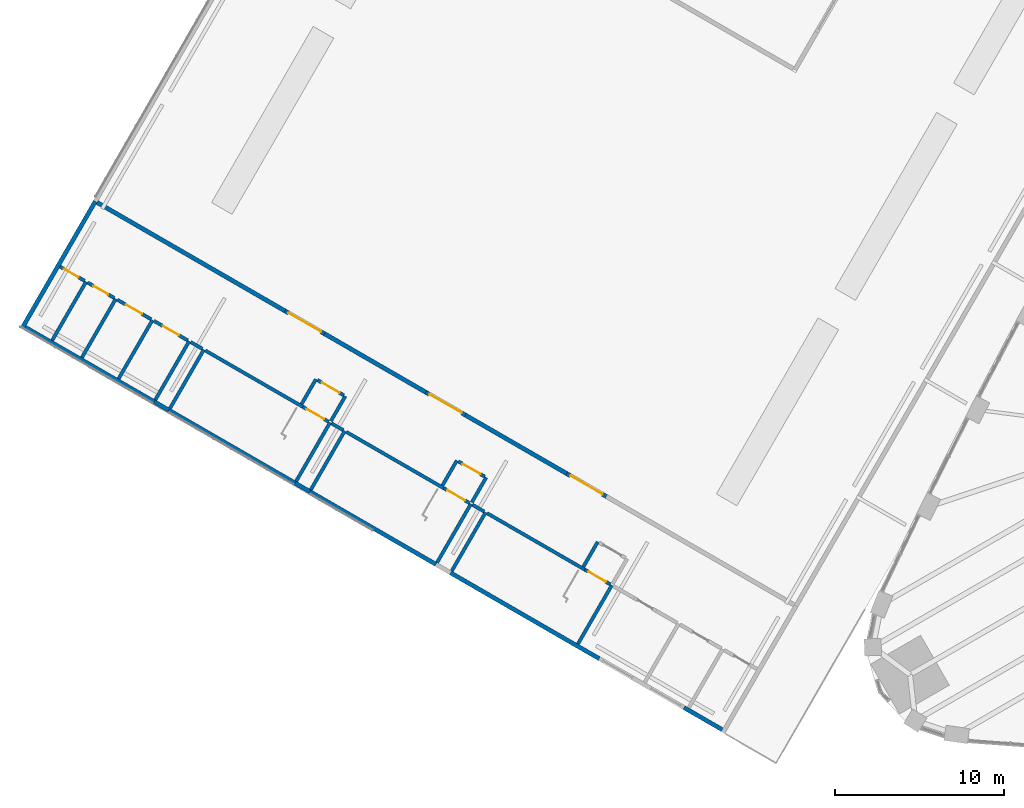
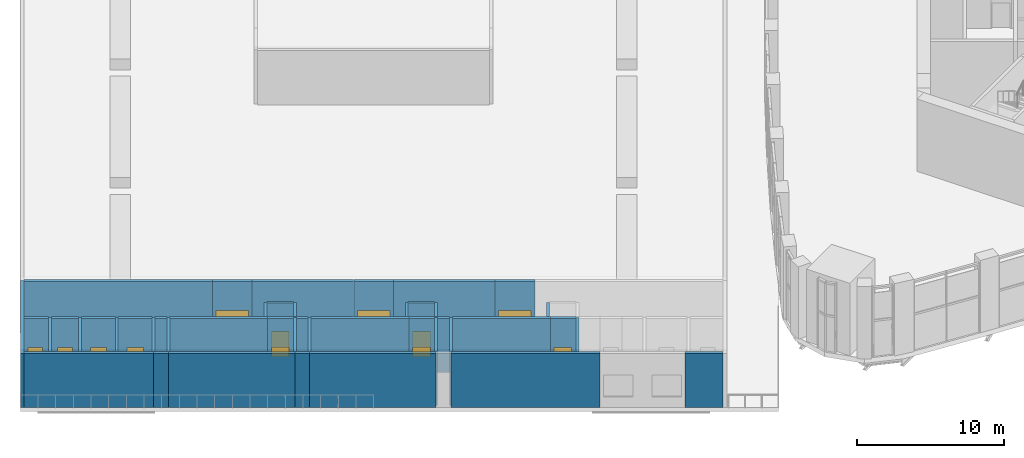
# One storey, part 22 of 41: 44 walls, 12 doors, 12 openings.
"""IFC4 building model written with IfcOpenShell, lengths in metres."""

import ifcopenshell
import ifcopenshell.guid

model = None  # the IFC model being written
_history = None  # IfcOwnerHistory: only IFC2X3 demands one
_inside = {}  # id of a spatial element -> (the spatial element, [elements in it])
_under = {}  # id of a project, library or spatial element -> (it, [spatial elements below it])
_declared = {}  # id of a project -> (the project, [libraries it declares])
_typed = {}  # id of a type object -> (the type object, [elements of that type])
_made_of = {}  # id of a material, layer set ... -> (it, [elements and type objects made of it])


def new_model(schema):
    """Start an empty IFC model of exactly this schema.

    Asked for "IFC4X3", IfcOpenShell would pick the latest addendum, in which some entities
    have other attributes; the version numbers below select the first issue.
    IFC2X3 requires an IfcOwnerHistory on every rooted entity: one is made here for all.
    """
    global model, _history
    if schema == "IFC4X3":
        model = ifcopenshell.file(schema_version=(4, 3, 0, 0))
    else:
        model = ifcopenshell.file(schema=schema)
    _inside.clear()
    _under.clear()
    _declared.clear()
    _typed.clear()
    _made_of.clear()
    _history = None
    if model.schema == "IFC2X3":
        org = make("IfcOrganization", Name="unknown")
        user = make(
            "IfcPersonAndOrganization",
            ThePerson=make("IfcPerson", FamilyName="unknown"),
            TheOrganization=org,
        )
        app = make(
            "IfcApplication",
            ApplicationDeveloper=org,
            Version="unknown",
            ApplicationFullName="unknown",
            ApplicationIdentifier="unknown",
        )
        _history = make(
            "IfcOwnerHistory",
            OwningUser=user,
            OwningApplication=app,
            ChangeAction="ADDED",
            CreationDate=0,
        )
    return model


def make(cls, **values):
    """One entity of the class cls with the attributes given. An attribute that is None is left unset."""
    return model.create_entity(
        cls, **{name: value for name, value in values.items() if value is not None}
    )


def rooted(cls, **values):
    """An entity with a GlobalId (a new one), such as an element, a storey or a relation."""
    return make(cls, GlobalId=ifcopenshell.guid.new(), OwnerHistory=_history, **values)


def si_unit(unit_type, name, prefix=None):
    """IfcSIUnit, for example si_unit("LENGTHUNIT", "METRE", prefix="MILLI")."""
    return make("IfcSIUnit", UnitType=unit_type, Prefix=prefix, Name=name)


def assignment(units):
    """IfcUnitAssignment: the units of a project."""
    return None if units is None else make("IfcUnitAssignment", Units=units)


def point(xyz):
    """IfcCartesianPoint."""
    return None if xyz is None else make("IfcCartesianPoint", Coordinates=xyz)


def direction(xyz):
    """IfcDirection."""
    return None if xyz is None else make("IfcDirection", DirectionRatios=xyz)


def frame(location, z_axis=None, x_axis=None):
    """IfcAxis2Placement3D, a coordinate frame: its origin and axes. An axis left out is left unset."""
    return make(
        "IfcAxis2Placement3D",
        Location=point(location),
        Axis=direction(z_axis),
        RefDirection=direction(x_axis),
    )


def frame_2d(location, x_axis=None):
    """IfcAxis2Placement2D, a coordinate frame in the plane: its origin and x axis."""
    return make(
        "IfcAxis2Placement2D", Location=point(location), RefDirection=direction(x_axis)
    )


def origin():
    """The frame at (0, 0, 0) with its axes left unset."""
    return frame((0.0, 0.0, 0.0))


def place(relative_to, where):
    """IfcLocalPlacement: puts the frame where relative to a parent placement (None: the world)."""
    return make(
        "IfcLocalPlacement", PlacementRelTo=relative_to, RelativePlacement=where
    )


def context(
    kind, dimensions, precision=None, world=None, true_north=None, identifier=None
):
    """IfcGeometricRepresentationContext, for example the 3D "Model" context."""
    return make(
        "IfcGeometricRepresentationContext",
        ContextIdentifier=identifier,
        ContextType=kind,
        CoordinateSpaceDimension=dimensions,
        Precision=precision,
        WorldCoordinateSystem=world,
        TrueNorth=true_north,
    )


def subcontext(parent, identifier, kind, view, scale=None):
    """IfcGeometricRepresentationSubContext, for example "Body" below "Model"."""
    return make(
        "IfcGeometricRepresentationSubContext",
        ContextIdentifier=identifier,
        ContextType=kind,
        ParentContext=parent,
        TargetScale=scale,
        TargetView=view,
    )


def project(units=None, contexts=None):
    """IfcProject with its units and contexts."""
    return rooted(
        "IfcProject",
        Name="project",
        RepresentationContexts=contexts,
        UnitsInContext=assignment(units),
    )


def spatial(cls, under=None, at=None, **own):
    """A site, building, storey or space (cls), placed at a placement, below another one or the project."""
    s = rooted(cls, ObjectPlacement=at, **own)
    if under is not None:
        _under.setdefault(under.id(), (under, []))[1].append(s)
    return s


def profile(cls, at=None, kind="AREA", **sizes):
    """A parametric profile (cls). Its sizes go by their IFC names, for example OverallWidth=200.0."""
    return make(cls, ProfileType=kind, Position=at, **sizes)


def rectangle(**sizes):
    """IfcRectangleProfileDef."""
    return profile("IfcRectangleProfileDef", **sizes)


def extrude(swept, where, along, depth):
    """IfcExtrudedAreaSolid: the profile swept, set in the frame where, extruded along a direction by depth."""
    return make(
        "IfcExtrudedAreaSolid",
        SweptArea=swept,
        Position=where,
        ExtrudedDirection=direction(along),
        Depth=depth,
    )


def shape(context_of_items, identifier, shape_type, items):
    """IfcShapeRepresentation: the items that make up one representation, for example the "Body"."""
    return make(
        "IfcShapeRepresentation",
        ContextOfItems=context_of_items,
        RepresentationIdentifier=identifier,
        RepresentationType=shape_type,
        Items=items,
    )


def material(Name=None, Category=None):
    """IfcMaterial."""
    return make("IfcMaterial", Name=Name, Category=Category)


def layer(
    of_material, thickness, ventilated=None, Name=None, Category=None, Priority=None
):
    """IfcMaterialLayer: one layer of a wall or slab, of a material (None: an air gap)."""
    return make(
        "IfcMaterialLayer",
        Material=of_material,
        LayerThickness=thickness,
        IsVentilated=ventilated,
        Name=Name,
        Category=Category,
        Priority=Priority,
    )


def layer_set(layers, Name=None):
    """IfcMaterialLayerSet."""
    return make("IfcMaterialLayerSet", MaterialLayers=layers, LayerSetName=Name)


def made_of(thing, what):
    """Note that an element or type object is made of a material, layer set ...; save() writes the relation."""
    if what is not None:
        _made_of.setdefault(what.id(), (what, []))[1].append(thing)
    return thing


def type_object(cls, material=None, **own):
    """A type object (cls), such as IfcWallType, which elements share."""
    return made_of(rooted(cls, **own), material)


def element(
    cls,
    number,
    at=None,
    inside=None,
    cuts=None,
    type_object=None,
    material=None,
    context=None,
    identifier="Body",
    shape_type=None,
    held_by="IfcProductDefinitionShape",
    body=None,
    shapes=None,
    **own,
):
    """One element of the class cls, such as IfcWall. Its Tag is "e" and its number.

    at: its placement. inside: the storey or other place that contains it. cuts: it is an
    opening in that element (IfcRelVoidsElement). A single representation is given by context,
    identifier, shape_type and body (its items); several are given by shapes. held_by: the class
    of the entity that holds the representations. save() writes the other relations.
    """
    e = rooted(cls, Tag="e%d" % number, ObjectPlacement=at, **own)
    if body is not None:
        shapes = [shape(context, identifier, shape_type, body)]
    if shapes is not None:
        e.Representation = make(held_by, Representations=shapes)
    if inside is not None:
        _inside.setdefault(inside.id(), (inside, []))[1].append(e)
    if cuts is not None:
        rooted(
            "IfcRelVoidsElement", RelatingBuildingElement=cuts, RelatedOpeningElement=e
        )
    if type_object is not None:
        _typed.setdefault(type_object.id(), (type_object, []))[1].append(e)
    return made_of(e, material)


def fill(opening, filler):
    """IfcRelFillsElement: the door or window that sits in an opening."""
    return rooted(
        "IfcRelFillsElement",
        RelatingOpeningElement=opening,
        RelatedBuildingElement=filler,
    )


def aggregate(whole, parts):
    """IfcRelAggregates: a whole, such as a stair, and the parts it consists of."""
    return rooted("IfcRelAggregates", RelatingObject=whole, RelatedObjects=parts)


def save(model, path):
    """Write the relations noted so far, then the file.

    IfcRelAggregates (storeys below a building ...), IfcRelContainedInSpatialStructure (elements
    in a storey), IfcRelDefinesByType, IfcRelAssociatesMaterial and IfcRelDeclares: one each for
    every whole, place, type object, material and project.
    """
    for whole, parts in _under.values():
        aggregate(whole, parts)
    for where, things in _inside.values():
        rooted(
            "IfcRelContainedInSpatialStructure",
            RelatedElements=things,
            RelatingStructure=where,
        )
    for kind, things in _typed.values():
        rooted("IfcRelDefinesByType", RelatedObjects=things, RelatingType=kind)
    for what, things in _made_of.values():
        rooted("IfcRelAssociatesMaterial", RelatedObjects=things, RelatingMaterial=what)
    for by, libraries in _declared.values():
        rooted("IfcRelDeclares", RelatingContext=by, RelatedDefinitions=libraries)
    model.write(path)


model = new_model("IFC4")

# Units and contexts
model_context = context("Model", 3, precision=1e-05, world=origin(), true_north=direction((0.0, 1.0)))
body_context = subcontext(model_context, "Body", "Model", "MODEL_VIEW")
ifc_project = project(units=[si_unit("LENGTHUNIT", "METRE"), si_unit("AREAUNIT", "SQUARE_METRE"), si_unit("VOLUMEUNIT", "CUBIC_METRE"), si_unit("PLANEANGLEUNIT", "RADIAN"), si_unit("MASSUNIT", "GRAM", prefix="KILO")], contexts=[model_context])

# Site, building, storey
site_placement = place(None, origin())
site = spatial("IfcSite", under=ifc_project, at=site_placement, CompositionType="ELEMENT")
building_placement = place(site_placement, origin())
building = spatial("IfcBuilding", under=site, at=building_placement, Name="Mestral Congress Tower", CompositionType="ELEMENT")
storey_placement = place(building_placement, frame((0.0, 0.0, 21.60009765625)))
storey = spatial("IfcBuildingStorey", under=building, at=storey_placement, Name="L04", CompositionType="ELEMENT", Elevation=21.60009765625)

# Wall
ifc_material_1 = material(Name="Precast concrete C40/50 with limestone facing", Category="masonry")
ifc_layer_1 = layer(ifc_material_1, 0.25)
ifc_layer_set_1 = layer_set([ifc_layer_1], Name="Precast concrete C40/50 with limestone facing")
wall_type_1 = type_object("IfcWallType", Name="Podium external wall 250 R 180 load-bearing to roof", PredefinedType="SOLIDWALL", material=ifc_layer_set_1)
wall_1_placement = place(storey_placement, frame((-83.915283203125, 2.260498046875, 0.0), z_axis=(0.0, 0.0, 1.0), x_axis=(0.499999331568, 0.866025789703, 0.0)))
element("IfcWall", 1, at=wall_1_placement, inside=storey, type_object=wall_type_1, Name="L04 external wall", PredefinedType="SOLIDWALL", context=body_context, shape_type="SweptSolid", body=[
    extrude(rectangle(XDim=8.625, YDim=0.25, at=frame_2d((4.3125, 0.0))), origin(), (0.0, 0.0, 1.0), 4.5),
])

# Wall, opening, door
wall_2_placement = place(storey_placement, frame((-51.78173828125, -6.33251953125, 0.0), z_axis=(0.0, 0.0, 1.0), x_axis=(0.866019956843, -0.50000943426, 0.0)))
wall_2 = element("IfcWall", 2, at=wall_2_placement, inside=storey, type_object=wall_type_1, Name="L04 external wall", PredefinedType="SOLIDWALL", context=body_context, shape_type="SweptSolid", body=[
    extrude(rectangle(XDim=2.7001953125, YDim=0.25, at=frame_2d((1.35009765625, 0.0))), origin(), (0.0, 0.0, 1.0), 4.5),
])
opening_1_placement = place(wall_2_placement, frame((0.25, 0.0, 0.0)))
opening_1 = element("IfcOpeningElement", 3, at=opening_1_placement, cuts=wall_2, Name="Opening P04-305", PredefinedType="OPENING", context=body_context, shape_type="SweptSolid", body=[
    extrude(rectangle(XDim=2.199951171875, YDim=2.10009765625, at=frame_2d((1.10009765625, 1.050048828125))), frame((0.0, 0.135009765625, 0.0), z_axis=(0.0, -1.0, 0.0), x_axis=(1.0, 0.0, 0.0)), (0.0, 0.0, 1.0), 0.27001953125),
])
ifc_material_2 = material(Name="Steel and glass door set", Category="steel")
door_type_1 = type_object("IfcDoorType", Name="Podium entrance door 2200x2100", OperationType="DOUBLE_DOOR_SINGLE_SWING", PredefinedType="DOOR", material=ifc_material_2)
door_1_placement = place(opening_1_placement, origin())
door_1 = element("IfcDoor", 4, at=door_1_placement, inside=storey, type_object=door_type_1, Name="Door P04-305", OperationType="DOUBLE_DOOR_SINGLE_SWING", OverallHeight=2.10009765625, OverallWidth=2.199951171875, PredefinedType="DOOR", context=body_context, shape_type="SweptSolid", body=[
    extrude(rectangle(XDim=2.199951171875, YDim=2.10009765625, at=frame_2d((1.10009765625, 1.050048828125))), frame((0.0, 0.02490234375, 0.0), z_axis=(0.0, -1.0, 0.0), x_axis=(1.0, 0.0, 0.0)), (0.0, 0.0, 1.0), 0.050048828125),
])
fill(opening_1, door_1)

# Wall
wall_3_placement = place(storey_placement, frame((-51.78173828125, -6.33251953125, 0.0), z_axis=(0.0, 0.0, 1.0), x_axis=(-0.866028853923, 0.499994024137, 0.0)))
element("IfcWall", 5, at=wall_3_placement, inside=storey, type_object=wall_type_1, Name="L04 external wall", PredefinedType="SOLIDWALL", context=body_context, shape_type="SweptSolid", body=[
    extrude(rectangle(XDim=6.89990234375, YDim=0.25, at=frame_2d((3.449951171875, 0.0))), origin(), (0.0, 0.0, 1.0), 4.5),
])

# Wall, opening, door
wall_4_placement = place(storey_placement, frame((-60.095458984375, -1.53271484375, 0.0), z_axis=(0.0, 0.0, 1.0), x_axis=(0.866036505625, -0.499980770555, 0.0)))
wall_4 = element("IfcWall", 6, at=wall_4_placement, inside=storey, type_object=wall_type_1, Name="L04 external wall", PredefinedType="SOLIDWALL", context=body_context, shape_type="SweptSolid", body=[
    extrude(rectangle(XDim=2.69970703125, YDim=0.25, at=frame_2d((1.349853515625, 0.0))), origin(), (0.0, 0.0, 1.0), 4.5),
])
opening_2_placement = place(wall_4_placement, frame((0.25, 0.0, 0.0)))
opening_2 = element("IfcOpeningElement", 7, at=opening_2_placement, cuts=wall_4, Name="Opening P04-306", PredefinedType="OPENING", context=body_context, shape_type="SweptSolid", body=[
    extrude(rectangle(XDim=2.199951171875, YDim=2.10009765625, at=frame_2d((1.10009765625, 1.050048828125))), frame((0.0, 0.135009765625, 0.0), z_axis=(0.0, -1.0, 0.0), x_axis=(1.0, 0.0, 0.0)), (0.0, 0.0, 1.0), 0.27001953125),
])
door_2_placement = place(opening_2_placement, origin())
door_2 = element("IfcDoor", 8, at=door_2_placement, inside=storey, type_object=door_type_1, Name="Door P04-306", OperationType="DOUBLE_DOOR_SINGLE_SWING", OverallHeight=2.10009765625, OverallWidth=2.199951171875, PredefinedType="DOOR", context=body_context, shape_type="SweptSolid", body=[
    extrude(rectangle(XDim=2.199951171875, YDim=2.10009765625, at=frame_2d((1.10009765625, 1.050048828125))), frame((0.0, 0.02490234375, 0.0), z_axis=(0.0, -1.0, 0.0), x_axis=(1.0, 0.0, 0.0)), (0.0, 0.0, 1.0), 0.050048828125),
])
fill(opening_2, door_2)

# Wall
wall_5_placement = place(storey_placement, frame((-60.095458984375, -1.53271484375, 0.0), z_axis=(0.0, 0.0, 1.0), x_axis=(-0.866013532718, 0.500020560727, 0.0)))
element("IfcWall", 9, at=wall_5_placement, inside=storey, type_object=wall_type_1, Name="L04 external wall", PredefinedType="SOLIDWALL", context=body_context, shape_type="SweptSolid", body=[
    extrude(rectangle(XDim=6.900146484375, YDim=0.25, at=frame_2d((3.4501953125, 0.0))), origin(), (0.0, 0.0, 1.0), 4.5),
])

# Wall, opening, door
wall_6_placement = place(storey_placement, frame((-68.409423828125, 3.267333984375, 0.0), z_axis=(0.0, 0.0, 1.0), x_axis=(0.866059108428, -0.4999416173, 0.0)))
wall_6 = element("IfcWall", 10, at=wall_6_placement, inside=storey, type_object=wall_type_1, Name="L04 external wall", PredefinedType="SOLIDWALL", context=body_context, shape_type="SweptSolid", body=[
    extrude(rectangle(XDim=2.699951171875, YDim=0.25, at=frame_2d((1.35009765625, 0.0))), origin(), (0.0, 0.0, 1.0), 4.5),
])
opening_3_placement = place(wall_6_placement, frame((0.25, 0.0, 0.0)))
opening_3 = element("IfcOpeningElement", 11, at=opening_3_placement, cuts=wall_6, Name="Opening P04-307", PredefinedType="OPENING", context=body_context, shape_type="SweptSolid", body=[
    extrude(rectangle(XDim=2.199951171875, YDim=2.10009765625, at=frame_2d((1.10009765625, 1.050048828125))), frame((0.0, 0.135009765625, 0.0), z_axis=(0.0, -1.0, 0.0), x_axis=(1.0, 0.0, 0.0)), (0.0, 0.0, 1.0), 0.27001953125),
])
door_3_placement = place(opening_3_placement, origin())
door_3 = element("IfcDoor", 12, at=door_3_placement, inside=storey, type_object=door_type_1, Name="Door P04-307", OperationType="DOUBLE_DOOR_SINGLE_SWING", OverallHeight=2.10009765625, OverallWidth=2.199951171875, PredefinedType="DOOR", context=body_context, shape_type="SweptSolid", body=[
    extrude(rectangle(XDim=2.199951171875, YDim=2.10009765625, at=frame_2d((1.10009765625, 1.050048828125))), frame((0.0, 0.02490234375, 0.0), z_axis=(0.0, -1.0, 0.0), x_axis=(1.0, 0.0, 0.0)), (0.0, 0.0, 1.0), 0.050048828125),
])
fill(opening_3, door_3)

# Walls
wall_7_placement = place(storey_placement, frame((-68.409423828125, 3.267333984375, 0.0), z_axis=(0.0, 0.0, 1.0), x_axis=(-0.866017240552, 0.500014138866, 0.0)))
element("IfcWall", 13, at=wall_7_placement, inside=storey, type_object=wall_type_1, Name="L04 external wall", PredefinedType="SOLIDWALL", context=body_context, shape_type="SweptSolid", body=[
    extrude(rectangle(XDim=12.800048828125, YDim=0.25, at=frame_2d((6.39990234375, 0.0))), origin(), (0.0, 0.0, 1.0), 4.5),
])
wall_8_placement = place(storey_placement, frame((-42.6083984375, -21.44384765625, 0.0), z_axis=(0.0, 0.0, 1.0), x_axis=(-0.866021400173, 0.500006934395, 0.0)))
element("IfcWall", 14, at=wall_8_placement, inside=storey, type_object=wall_type_1, Name="L04 external wall", PredefinedType="SOLIDWALL", context=body_context, shape_type="SweptSolid", body=[
    extrude(rectangle(XDim=2.60009765625, YDim=0.25, at=frame_2d((1.300048828125, 0.0))), origin(), (0.0, 0.0, 1.0), 4.5),
])
wall_9_placement = place(storey_placement, frame((-49.861328125, -17.25634765625, 0.0), z_axis=(0.0, 0.0, 1.0), x_axis=(-0.866026575979, 0.499997969693, 0.0)))
element("IfcWall", 15, at=wall_9_placement, inside=storey, type_object=wall_type_1, Name="L04 external wall", PredefinedType="SOLIDWALL", context=body_context, shape_type="SweptSolid", body=[
    extrude(rectangle(XDim=10.125, YDim=0.25, at=frame_2d((5.0625, 0.0))), origin(), (0.0, 0.0, 1.0), 4.5),
])
wall_10_placement = place(storey_placement, frame((-59.495849609375, -11.69384765625, 0.0), z_axis=(0.0, 0.0, 1.0), x_axis=(-0.866021068297, 0.500007509209, 0.0)))
element("IfcWall", 16, at=wall_10_placement, inside=storey, type_object=wall_type_1, Name="L04 external wall", PredefinedType="SOLIDWALL", context=body_context, shape_type="SweptSolid", body=[
    extrude(rectangle(XDim=8.599853515625, YDim=0.25, at=frame_2d((4.2998046875, 0.0))), origin(), (0.0, 0.0, 1.0), 4.5),
])
wall_11_placement = place(storey_placement, frame((-67.8095703125, -6.893798828125, 0.0), z_axis=(0.0, 0.0, 1.0), x_axis=(-0.866028165386, 0.499995216735, 0.0)))
element("IfcWall", 17, at=wall_11_placement, inside=storey, type_object=wall_type_1, Name="L04 external wall", PredefinedType="SOLIDWALL", context=body_context, shape_type="SweptSolid", body=[
    extrude(rectangle(XDim=8.60009765625, YDim=0.25, at=frame_2d((4.300048828125, 0.0))), origin(), (0.0, 0.0, 1.0), 4.5),
])
wall_12_placement = place(storey_placement, frame((-76.12353515625, -2.09375, 0.0), z_axis=(0.0, 0.0, 1.0), x_axis=(-0.866025267465, 0.500000236112, 0.0)))
element("IfcWall", 18, at=wall_12_placement, inside=storey, type_object=wall_type_1, Name="L04 external wall", PredefinedType="SOLIDWALL", context=body_context, shape_type="SweptSolid", body=[
    extrude(rectangle(XDim=8.7998046875, YDim=0.25, at=frame_2d((4.39990234375, 0.0))), origin(), (0.0, 0.0, 1.0), 4.5),
])
for number, where, z_axis, x_axis, name in (
    (19, (-66.943603515625, -7.393798828125, 0.0), (0.0, 0.0, 1.0), (-0.866010750942, 0.50002537861, 0.0), "L04 external wall"),
    (20, (-75.257568359375, -2.59375, 0.0), (0.0, 0.0, 1.0), (-0.866010750942, 0.50002537861, 0.0), "L04 external wall"),
):
    element("IfcWall", number, at=place(storey_placement, frame(where, z_axis=z_axis, x_axis=x_axis)), inside=storey, type_object=wall_type_1, Name=name, PredefinedType="SOLIDWALL", context=body_context, shape_type="SweptSolid", body=[
        extrude(rectangle(XDim=1.0, YDim=0.25, at=frame_2d((0.5, 0.0))), origin(), (0.0, 0.0, 1.0), 4.5),
    ])
ifc_material_3 = material(Name="Masonry block wall", Category="masonry")
ifc_layer_2 = layer(ifc_material_3, 0.199951171875)
ifc_layer_set_2 = layer_set([ifc_layer_2], Name="Masonry block wall")
wall_type_2 = type_object("IfcWallType", Name="Podium stair enclosure wall 200 EI 120 load-bearing", PredefinedType="SOLIDWALL", material=ifc_layer_set_2)
for number, where, z_axis, x_axis, name in (
    (21, (-49.119384765625, -12.92138671875, 0.0), (0.0, 0.0, 1.0), (-0.49999894854, -0.866026010844, 0.0), "L04 partition"),
    (22, (-56.5673828125, -8.621337890625, 0.0), (0.0, 0.0, 1.0), (-0.49999894854, -0.866026010844, 0.0), "L04 partition"),
    (23, (-57.433349609375, -8.121337890625, 0.0), (0.0, 0.0, 1.0), (-0.49999894854, -0.866026010844, 0.0), "L04 partition"),
    (24, (-64.881103515625, -3.8212890625, 0.0), (0.0, 0.0, 1.0), (-0.49999894854, -0.866026010844, 0.0), "L04 partition"),
    (25, (-65.7470703125, -3.3212890625, 0.0), (0.0, 0.0, 1.0), (-0.49999894854, -0.866026010844, 0.0), "L04 partition"),
    (26, (-73.195068359375, 0.978515625, 0.0), (0.0, 0.0, 1.0), (-0.49999894854, -0.866026010844, 0.0), "L04 partition"),
):
    element("IfcWall", number, at=place(storey_placement, frame(where, z_axis=z_axis, x_axis=x_axis)), inside=storey, type_object=wall_type_2, Name=name, PredefinedType="SOLIDWALL", context=body_context, shape_type="SweptSolid", body=[
        extrude(rectangle(XDim=4.0, YDim=0.199951171875, at=frame_2d((2.0, 0.0))), origin(), (0.0, 0.0, 1.0), 4.5),
    ])

# Wall, opening, door
wall_13_placement = place(storey_placement, frame((-49.2060546875, -12.871337890625, 0.0), z_axis=(0.0, 0.0, 1.0), x_axis=(-0.866036909293, 0.499980071345, 0.0)))
wall_13 = element("IfcWall", 27, at=wall_13_placement, inside=storey, type_object=wall_type_2, Name="L04 partition", PredefinedType="SOLIDWALL", context=body_context, shape_type="SweptSolid", body=[
    extrude(rectangle(XDim=1.75, YDim=0.199951171875, at=frame_2d((0.875, 0.0))), origin(), (0.0, 0.0, 1.0), 4.5),
])
opening_4_placement = place(wall_13_placement, frame((0.300048828125, 0.0, 0.0)))
opening_4 = element("IfcOpeningElement", 28, at=opening_4_placement, cuts=wall_13, Name="Opening P04-311", PredefinedType="OPENING", context=body_context, shape_type="SweptSolid", body=[
    extrude(rectangle(XDim=1.199951171875, YDim=2.10009765625, at=frame_2d((0.60009765625, 1.050048828125))), frame((0.0, 0.10986328125, 0.0), z_axis=(0.0, -1.0, 0.0), x_axis=(1.0, 0.0, 0.0)), (0.0, 0.0, 1.0), 0.219970703125),
])
ifc_material_4 = material(Name="Fire-rated steel door set", Category="steel")
door_type_2 = type_object("IfcDoorType", Name="Podium stair door 1200x2100 EI2 30-C5", OperationType="SINGLE_SWING_LEFT", PredefinedType="DOOR", material=ifc_material_4)
door_4_placement = place(opening_4_placement, origin())
door_4 = element("IfcDoor", 29, at=door_4_placement, inside=storey, type_object=door_type_2, Name="Door P04-311", OperationType="SINGLE_SWING_LEFT", OverallHeight=2.10009765625, OverallWidth=1.199951171875, PredefinedType="DOOR", context=body_context, shape_type="SweptSolid", body=[
    extrude(rectangle(XDim=1.199951171875, YDim=2.10009765625, at=frame_2d((0.60009765625, 1.050048828125))), frame((0.0, 0.02490234375, 0.0), z_axis=(0.0, -1.0, 0.0), x_axis=(1.0, 0.0, 0.0)), (0.0, 0.0, 1.0), 0.050048828125),
])
fill(opening_4, door_4)

# Wall
wall_14_placement = place(storey_placement, frame((-50.7216796875, -11.996337890625, 0.0), z_axis=(0.0, 0.0, 1.0), x_axis=(-0.866027239912, 0.49999681972, 0.0)))
element("IfcWall", 30, at=wall_14_placement, inside=storey, type_object=wall_type_2, Name="L04 partition", PredefinedType="SOLIDWALL", context=body_context, shape_type="SweptSolid", body=[
    extrude(rectangle(XDim=6.64990234375, YDim=0.199951171875, at=frame_2d((3.324951171875, 0.0))), origin(), (0.0, 0.0, 1.0), 4.5),
])

# Wall, opening, door
wall_15_placement = place(storey_placement, frame((-57.52001953125, -8.0712890625, 0.0), z_axis=(0.0, 0.0, 1.0), x_axis=(-0.866002029911, 0.500040482552, 0.0)))
wall_15 = element("IfcWall", 31, at=wall_15_placement, inside=storey, type_object=wall_type_2, Name="L04 partition", PredefinedType="SOLIDWALL", context=body_context, shape_type="SweptSolid", body=[
    extrude(rectangle(XDim=1.749755859375, YDim=0.199951171875, at=frame_2d((0.875, 0.0))), origin(), (0.0, 0.0, 1.0), 4.5),
])
opening_5_placement = place(wall_15_placement, frame((0.300048828125, 0.0, 0.0)))
opening_5 = element("IfcOpeningElement", 32, at=opening_5_placement, cuts=wall_15, Name="Opening P04-312", PredefinedType="OPENING", context=body_context, shape_type="SweptSolid", body=[
    extrude(rectangle(XDim=1.199951171875, YDim=2.10009765625, at=frame_2d((0.60009765625, 1.050048828125))), frame((0.0, 0.10986328125, 0.0), z_axis=(0.0, -1.0, 0.0), x_axis=(1.0, 0.0, 0.0)), (0.0, 0.0, 1.0), 0.219970703125),
])
door_5_placement = place(opening_5_placement, origin())
door_5 = element("IfcDoor", 33, at=door_5_placement, inside=storey, type_object=door_type_2, Name="Door P04-312", OperationType="SINGLE_SWING_LEFT", OverallHeight=2.10009765625, OverallWidth=1.199951171875, PredefinedType="DOOR", context=body_context, shape_type="SweptSolid", body=[
    extrude(rectangle(XDim=1.199951171875, YDim=2.10009765625, at=frame_2d((0.60009765625, 1.050048828125))), frame((0.0, 0.02490234375, 0.0), z_axis=(0.0, -1.0, 0.0), x_axis=(1.0, 0.0, 0.0)), (0.0, 0.0, 1.0), 0.050048828125),
])
fill(opening_5, door_5)

# Wall
wall_16_placement = place(storey_placement, frame((-59.035400390625, -7.1962890625, 0.0), z_axis=(0.0, 0.0, 1.0), x_axis=(-0.866027239912, 0.49999681972, 0.0)))
element("IfcWall", 34, at=wall_16_placement, inside=storey, type_object=wall_type_2, Name="L04 partition", PredefinedType="SOLIDWALL", context=body_context, shape_type="SweptSolid", body=[
    extrude(rectangle(XDim=6.64990234375, YDim=0.199951171875, at=frame_2d((3.324951171875, 0.0))), origin(), (0.0, 0.0, 1.0), 4.5),
])

# Wall, opening, door
wall_17_placement = place(storey_placement, frame((-65.833740234375, -3.271484375, 0.0), z_axis=(0.0, 0.0, 1.0), x_axis=(-0.866036909293, 0.499980071345, 0.0)))
wall_17 = element("IfcWall", 35, at=wall_17_placement, inside=storey, type_object=wall_type_2, Name="L04 partition", PredefinedType="SOLIDWALL", context=body_context, shape_type="SweptSolid", body=[
    extrude(rectangle(XDim=1.75, YDim=0.199951171875, at=frame_2d((0.875, 0.0))), origin(), (0.0, 0.0, 1.0), 4.5),
])
opening_6_placement = place(wall_17_placement, frame((0.300048828125, 0.0, 0.0)))
opening_6 = element("IfcOpeningElement", 36, at=opening_6_placement, cuts=wall_17, Name="Opening P04-313", PredefinedType="OPENING", context=body_context, shape_type="SweptSolid", body=[
    extrude(rectangle(XDim=1.199951171875, YDim=2.10009765625, at=frame_2d((0.60009765625, 1.050048828125))), frame((0.0, 0.10986328125, 0.0), z_axis=(0.0, -1.0, 0.0), x_axis=(1.0, 0.0, 0.0)), (0.0, 0.0, 1.0), 0.219970703125),
])
door_6_placement = place(opening_6_placement, origin())
door_6 = element("IfcDoor", 37, at=door_6_placement, inside=storey, type_object=door_type_2, Name="Door P04-313", OperationType="SINGLE_SWING_LEFT", OverallHeight=2.10009765625, OverallWidth=1.199951171875, PredefinedType="DOOR", context=body_context, shape_type="SweptSolid", body=[
    extrude(rectangle(XDim=1.199951171875, YDim=2.10009765625, at=frame_2d((0.60009765625, 1.050048828125))), frame((0.0, 0.02490234375, 0.0), z_axis=(0.0, -1.0, 0.0), x_axis=(1.0, 0.0, 0.0)), (0.0, 0.0, 1.0), 0.050048828125),
])
fill(opening_6, door_6)

# Walls
wall_18_placement = place(storey_placement, frame((-67.349365234375, -2.396484375, 0.0), z_axis=(0.0, 0.0, 1.0), x_axis=(-0.86601134256, 0.500024353964, 0.0)))
element("IfcWall", 38, at=wall_18_placement, inside=storey, type_object=wall_type_2, Name="L04 partition", PredefinedType="SOLIDWALL", context=body_context, shape_type="SweptSolid", body=[
    extrude(rectangle(XDim=6.650146484375, YDim=0.199951171875, at=frame_2d((3.3251953125, 0.0))), origin(), (0.0, 0.0, 1.0), 4.5),
])
for number, where, z_axis, x_axis, name in (
    (39, (-74.06103515625, 1.478515625, 0.0), (0.0, 0.0, 1.0), (-0.49999894854, -0.866026010844, 0.0), "L04 partition"),
    (40, (-76.22607421875, 2.728515625, 0.0), (0.0, 0.0, 1.0), (-0.49999894854, -0.866026010844, 0.0), "L04 partition"),
    (41, (-78.39111328125, 3.978515625, 0.0), (0.0, 0.0, 1.0), (-0.49999894854, -0.866026010844, 0.0), "L04 partition"),
):
    element("IfcWall", number, at=place(storey_placement, frame(where, z_axis=z_axis, x_axis=x_axis)), inside=storey, type_object=wall_type_2, Name=name, PredefinedType="SOLIDWALL", context=body_context, shape_type="SweptSolid", body=[
        extrude(rectangle(XDim=4.0, YDim=0.199951171875, at=frame_2d((2.0, 0.0))), origin(), (0.0, 0.0, 1.0), 4.5),
    ])

# Wall, opening, door
wall_19_placement = place(storey_placement, frame((-74.147705078125, 1.528564453125, 0.0), z_axis=(0.0, 0.0, 1.0), x_axis=(-0.865980515519, 0.500077740698, 0.0)))
wall_19 = element("IfcWall", 42, at=wall_19_placement, inside=storey, type_object=wall_type_2, Name="L04 partition", PredefinedType="SOLIDWALL", context=body_context, shape_type="SweptSolid", body=[
    extrude(rectangle(XDim=2.300048828125, YDim=0.199951171875, at=frame_2d((1.14990234375, 0.0))), origin(), (0.0, 0.0, 1.0), 4.5),
])
opening_7_placement = place(wall_19_placement, frame((0.60009765625, 0.0, 0.0)))
opening_7 = element("IfcOpeningElement", 43, at=opening_7_placement, cuts=wall_19, Name="Opening P04-316", PredefinedType="OPENING", context=body_context, shape_type="SweptSolid", body=[
    extrude(rectangle(XDim=1.10009765625, YDim=2.10009765625, at=frame_2d((0.550048828125, 1.050048828125))), frame((0.0, 0.10986328125, 0.0), z_axis=(0.0, -1.0, 0.0), x_axis=(1.0, 0.0, 0.0)), (0.0, 0.0, 1.0), 0.219970703125),
])
door_type_3 = type_object("IfcDoorType", Name="Podium lift landing door 1100x2100 EI2 60-C5", OperationType="DOUBLE_DOOR_SLIDING", PredefinedType="DOOR", material=ifc_material_4)
door_7_placement = place(opening_7_placement, origin())
door_7 = element("IfcDoor", 44, at=door_7_placement, inside=storey, type_object=door_type_3, Name="Door P04-316", OperationType="DOUBLE_DOOR_SLIDING", OverallHeight=2.10009765625, OverallWidth=1.10009765625, PredefinedType="DOOR", context=body_context, shape_type="SweptSolid", body=[
    extrude(rectangle(XDim=1.10009765625, YDim=2.10009765625, at=frame_2d((0.550048828125, 1.050048828125))), frame((0.0, 0.02490234375, 0.0), z_axis=(0.0, -1.0, 0.0), x_axis=(1.0, 0.0, 0.0)), (0.0, 0.0, 1.0), 0.050048828125),
])
fill(opening_7, door_7)

wall_20_placement = place(storey_placement, frame((-76.312744140625, 2.778564453125, 0.0), z_axis=(0.0, 0.0, 1.0), x_axis=(-0.865980515519, 0.500077740698, 0.0)))
wall_20 = element("IfcWall", 45, at=wall_20_placement, inside=storey, type_object=wall_type_2, Name="L04 partition", PredefinedType="SOLIDWALL", context=body_context, shape_type="SweptSolid", body=[
    extrude(rectangle(XDim=2.300048828125, YDim=0.199951171875, at=frame_2d((1.14990234375, 0.0))), origin(), (0.0, 0.0, 1.0), 4.5),
])
opening_8_placement = place(wall_20_placement, frame((0.60009765625, 0.0, 0.0)))
opening_8 = element("IfcOpeningElement", 46, at=opening_8_placement, cuts=wall_20, Name="Opening P04-317", PredefinedType="OPENING", context=body_context, shape_type="SweptSolid", body=[
    extrude(rectangle(XDim=1.10009765625, YDim=2.10009765625, at=frame_2d((0.550048828125, 1.050048828125))), frame((0.0, 0.10986328125, 0.0), z_axis=(0.0, -1.0, 0.0), x_axis=(1.0, 0.0, 0.0)), (0.0, 0.0, 1.0), 0.219970703125),
])
door_8_placement = place(opening_8_placement, origin())
door_8 = element("IfcDoor", 47, at=door_8_placement, inside=storey, type_object=door_type_3, Name="Door P04-317", OperationType="DOUBLE_DOOR_SLIDING", OverallHeight=2.10009765625, OverallWidth=1.10009765625, PredefinedType="DOOR", context=body_context, shape_type="SweptSolid", body=[
    extrude(rectangle(XDim=1.10009765625, YDim=2.10009765625, at=frame_2d((0.550048828125, 1.050048828125))), frame((0.0, 0.02490234375, 0.0), z_axis=(0.0, -1.0, 0.0), x_axis=(1.0, 0.0, 0.0)), (0.0, 0.0, 1.0), 0.050048828125),
])
fill(opening_8, door_8)

# Walls
ifc_material_5 = material(Name="Fire-rated board partition")
ifc_layer_3 = layer(ifc_material_5, 0.199951171875)
ifc_layer_set_3 = layer_set([ifc_layer_3], Name="Fire-rated board partition")
wall_type_3 = type_object("IfcWallType", Name="Podium vestibule wall 200 EI 120", PredefinedType="PARTITIONING", material=ifc_layer_set_3)
wall_21_placement = place(storey_placement, frame((-49.951416015625, -10.362548828125, 0.0), z_axis=(0.0, 0.0, 1.0), x_axis=(-0.500062241894, -0.865989465428, 0.0)))
element("IfcWall", 48, at=wall_21_placement, inside=storey, type_object=wall_type_3, Name="L04 partition", PredefinedType="PARTITIONING", context=body_context, shape_type="SweptSolid", body=[
    extrude(rectangle(XDim=1.699951171875, YDim=0.199951171875, at=frame_2d((0.85009765625, 0.0))), origin(), (0.0, 0.0, 1.0), 4.5),
])
for number, where, z_axis, x_axis, name in (
    (49, (-56.533203125, -6.5625, 0.0), (0.0, 0.0, 1.0), (-0.500000056704, -0.866025371046, 0.0), "L04 partition"),
    (50, (-58.265380859375, -5.5625, 0.0), (0.0, 0.0, 1.0), (-0.500000056704, -0.866025371046, 0.0), "L04 partition"),
):
    element("IfcWall", number, at=place(storey_placement, frame(where, z_axis=z_axis, x_axis=x_axis)), inside=storey, type_object=wall_type_3, Name=name, PredefinedType="PARTITIONING", context=body_context, shape_type="SweptSolid", body=[
        extrude(rectangle(XDim=1.7001953125, YDim=0.199951171875, at=frame_2d((0.85009765625, 0.0))), origin(), (0.0, 0.0, 1.0), 4.5),
    ])
for number, where, z_axis, x_axis, name in (
    (51, (-64.84716796875, -1.7626953125, 0.0), (0.0, 0.0, 1.0), (-0.499954529098, -0.86605165483, 0.0), "L04 partition"),
    (52, (-66.5791015625, -0.7626953125, 0.0), (0.0, 0.0, 1.0), (-0.500062241894, -0.865989465428, 0.0), "L04 partition"),
):
    element("IfcWall", number, at=place(storey_placement, frame(where, z_axis=z_axis, x_axis=x_axis)), inside=storey, type_object=wall_type_3, Name=name, PredefinedType="PARTITIONING", context=body_context, shape_type="SweptSolid", body=[
        extrude(rectangle(XDim=1.699951171875, YDim=0.199951171875, at=frame_2d((0.85009765625, 0.0))), origin(), (0.0, 0.0, 1.0), 4.5),
    ])

# Wall, opening, door
wall_22_placement = place(storey_placement, frame((-56.619873046875, -6.5126953125, 0.0), z_axis=(0.0, 0.0, 1.0), x_axis=(-0.865989075817, 0.500062916607, 0.0)))
wall_22 = element("IfcWall", 53, at=wall_22_placement, inside=storey, type_object=wall_type_3, Name="L04 partition", PredefinedType="PARTITIONING", context=body_context, shape_type="SweptSolid", body=[
    extrude(rectangle(XDim=1.800048828125, YDim=0.199951171875, at=frame_2d((0.89990234375, 0.0))), origin(), (0.0, 0.0, 1.0), 4.5),
])
opening_9_placement = place(wall_22_placement, frame((0.300048828125, 0.0, 0.0)))
opening_9 = element("IfcOpeningElement", 54, at=opening_9_placement, cuts=wall_22, Name="Opening P04-322", PredefinedType="OPENING", context=body_context, shape_type="SweptSolid", body=[
    extrude(rectangle(XDim=1.199951171875, YDim=2.10009765625, at=frame_2d((0.60009765625, 1.050048828125))), frame((0.0, 0.10986328125, 0.0), z_axis=(0.0, -1.0, 0.0), x_axis=(1.0, 0.0, 0.0)), (0.0, 0.0, 1.0), 0.219970703125),
])
door_type_4 = type_object("IfcDoorType", Name="Podium vestibule door 1200x2100 EI2 30-C5", OperationType="SINGLE_SWING_LEFT", PredefinedType="DOOR", material=ifc_material_4)
door_9_placement = place(opening_9_placement, origin())
door_9 = element("IfcDoor", 55, at=door_9_placement, inside=storey, type_object=door_type_4, Name="Door P04-322", OperationType="SINGLE_SWING_LEFT", OverallHeight=2.10009765625, OverallWidth=1.199951171875, PredefinedType="DOOR", context=body_context, shape_type="SweptSolid", body=[
    extrude(rectangle(XDim=1.199951171875, YDim=2.10009765625, at=frame_2d((0.60009765625, 1.050048828125))), frame((0.0, 0.02490234375, 0.0), z_axis=(0.0, -1.0, 0.0), x_axis=(1.0, 0.0, 0.0)), (0.0, 0.0, 1.0), 0.050048828125),
])
fill(opening_9, door_9)

wall_23_placement = place(storey_placement, frame((-64.93359375, -1.712646484375, 0.0), z_axis=(0.0, 0.0, 1.0), x_axis=(-0.866022985545, 0.500004188491, 0.0)))
wall_23 = element("IfcWall", 56, at=wall_23_placement, inside=storey, type_object=wall_type_3, Name="L04 partition", PredefinedType="PARTITIONING", context=body_context, shape_type="SweptSolid", body=[
    extrude(rectangle(XDim=1.80029296875, YDim=0.199951171875, at=frame_2d((0.900146484375, 0.0))), origin(), (0.0, 0.0, 1.0), 4.5),
])
opening_10_placement = place(wall_23_placement, frame((0.300048828125, 0.0, 0.0)))
opening_10 = element("IfcOpeningElement", 57, at=opening_10_placement, cuts=wall_23, Name="Opening P04-323", PredefinedType="OPENING", context=body_context, shape_type="SweptSolid", body=[
    extrude(rectangle(XDim=1.199951171875, YDim=2.10009765625, at=frame_2d((0.60009765625, 1.050048828125))), frame((0.0, 0.10986328125, 0.0), z_axis=(0.0, -1.0, 0.0), x_axis=(1.0, 0.0, 0.0)), (0.0, 0.0, 1.0), 0.219970703125),
])
door_10_placement = place(opening_10_placement, origin())
door_10 = element("IfcDoor", 58, at=door_10_placement, inside=storey, type_object=door_type_4, Name="Door P04-323", OperationType="SINGLE_SWING_LEFT", OverallHeight=2.10009765625, OverallWidth=1.199951171875, PredefinedType="DOOR", context=body_context, shape_type="SweptSolid", body=[
    extrude(rectangle(XDim=1.199951171875, YDim=2.10009765625, at=frame_2d((0.60009765625, 1.050048828125))), frame((0.0, 0.02490234375, 0.0), z_axis=(0.0, -1.0, 0.0), x_axis=(1.0, 0.0, 0.0)), (0.0, 0.0, 1.0), 0.050048828125),
])
fill(opening_10, door_10)

# Wall
wall_24_placement = place(storey_placement, frame((-80.144775390625, 4.9912109375, 0.0), z_axis=(0.0, 0.0, 1.0), x_axis=(-0.49999894854, -0.866026010844, 0.0)))
element("IfcWall", 59, at=wall_24_placement, inside=storey, type_object=wall_type_3, Name="L04 partition", PredefinedType="PARTITIONING", context=body_context, shape_type="SweptSolid", body=[
    extrude(rectangle(XDim=4.0, YDim=0.199951171875, at=frame_2d((2.0, 0.0))), origin(), (0.0, 0.0, 1.0), 4.5),
])

# Wall, opening, door
wall_25_placement = place(storey_placement, frame((-78.477783203125, 4.028564453125, 0.0), z_axis=(0.0, 0.0, 1.0), x_axis=(-0.865978377894, 0.500081442387, 0.0)))
wall_25 = element("IfcWall", 60, at=wall_25_placement, inside=storey, type_object=wall_type_3, Name="L04 partition", PredefinedType="PARTITIONING", context=body_context, shape_type="SweptSolid", body=[
    extrude(rectangle(XDim=1.824951171875, YDim=0.199951171875, at=frame_2d((0.91259765625, 0.0))), origin(), (0.0, 0.0, 1.0), 4.5),
])
opening_11_placement = place(wall_25_placement, frame((0.41259765625, 0.0, 0.0)))
opening_11 = element("IfcOpeningElement", 61, at=opening_11_placement, cuts=wall_25, Name="Opening P04-328", PredefinedType="OPENING", context=body_context, shape_type="SweptSolid", body=[
    extrude(rectangle(XDim=1.0, YDim=2.10009765625, at=frame_2d((0.5, 1.050048828125))), frame((0.0, 0.10986328125, 0.0), z_axis=(0.0, -1.0, 0.0), x_axis=(1.0, 0.0, 0.0)), (0.0, 0.0, 1.0), 0.219970703125),
])
door_type_5 = type_object("IfcDoorType", Name="Podium room door 1000x2100 EI2 30-C5", OperationType="SINGLE_SWING_LEFT", PredefinedType="DOOR", material=ifc_material_4)
door_11_placement = place(opening_11_placement, origin())
door_11 = element("IfcDoor", 62, at=door_11_placement, inside=storey, type_object=door_type_5, Name="Door P04-328", OperationType="SINGLE_SWING_LEFT", OverallHeight=2.10009765625, OverallWidth=1.0, PredefinedType="DOOR", context=body_context, shape_type="SweptSolid", body=[
    extrude(rectangle(XDim=1.0, YDim=2.10009765625, at=frame_2d((0.5, 1.050048828125))), frame((0.0, 0.02490234375, 0.0), z_axis=(0.0, -1.0, 0.0), x_axis=(1.0, 0.0, 0.0)), (0.0, 0.0, 1.0), 0.050048828125),
])
fill(opening_11, door_11)

wall_26_placement = place(storey_placement, frame((-80.2314453125, 5.041015625, 0.0), z_axis=(0.0, 0.0, 1.0), x_axis=(-0.865964676353, 0.500105168249, 0.0)))
wall_26 = element("IfcWall", 63, at=wall_26_placement, inside=storey, type_object=wall_type_3, Name="L04 partition", PredefinedType="PARTITIONING", context=body_context, shape_type="SweptSolid", body=[
    extrude(rectangle(XDim=1.675048828125, YDim=0.199951171875, at=frame_2d((0.83740234375, 0.0))), origin(), (0.0, 0.0, 1.0), 4.5),
])
opening_12_placement = place(wall_26_placement, frame((0.41259765625, 0.0, 0.0)))
opening_12 = element("IfcOpeningElement", 64, at=opening_12_placement, cuts=wall_26, Name="Opening P04-329", PredefinedType="OPENING", context=body_context, shape_type="SweptSolid", body=[
    extrude(rectangle(XDim=1.0, YDim=2.10009765625, at=frame_2d((0.5, 1.050048828125))), frame((0.0, 0.10986328125, 0.0), z_axis=(0.0, -1.0, 0.0), x_axis=(1.0, 0.0, 0.0)), (0.0, 0.0, 1.0), 0.219970703125),
])
door_12_placement = place(opening_12_placement, origin())
door_12 = element("IfcDoor", 65, at=door_12_placement, inside=storey, type_object=door_type_5, Name="Door P04-329", OperationType="SINGLE_SWING_LEFT", OverallHeight=2.10009765625, OverallWidth=1.0, PredefinedType="DOOR", context=body_context, shape_type="SweptSolid", body=[
    extrude(rectangle(XDim=1.0, YDim=2.10009765625, at=frame_2d((0.5, 1.050048828125))), frame((0.0, 0.02490234375, 0.0), z_axis=(0.0, -1.0, 0.0), x_axis=(1.0, 0.0, 0.0)), (0.0, 0.0, 1.0), 0.050048828125),
])
fill(opening_12, door_12)

# Walls
wall_27_placement = place(storey_placement, frame((-56.65380859375, -8.5712890625, 0.0), z_axis=(0.0, 0.0, 1.0), x_axis=(-0.866094119867, 0.499880961361, 0.0)))
element("IfcWall", 66, at=wall_27_placement, inside=storey, type_object=wall_type_3, Name="L04 partition", PredefinedType="PARTITIONING", context=body_context, shape_type="SweptSolid", body=[
    extrude(rectangle(XDim=0.800048828125, YDim=0.199951171875, at=frame_2d((0.39990234375, 0.0))), origin(), (0.0, 0.0, 1.0), 4.5),
])
wall_28_placement = place(storey_placement, frame((-64.9677734375, -3.771484375, 0.0), z_axis=(0.0, 0.0, 1.0), x_axis=(-0.865885638426, 0.500242002602, 0.0)))
element("IfcWall", 67, at=wall_28_placement, inside=storey, type_object=wall_type_3, Name="L04 partition", PredefinedType="PARTITIONING", context=body_context, shape_type="SweptSolid", body=[
    extrude(rectangle(XDim=0.7998046875, YDim=0.199951171875, at=frame_2d((0.39990234375, 0.0))), origin(), (0.0, 0.0, 1.0), 4.5),
])
wall_29_placement = place(storey_placement, frame((-73.281494140625, 1.028564453125, 0.0), z_axis=(0.0, 0.0, 1.0), x_axis=(-0.865961984968, 0.500109828528, 0.0)))
element("IfcWall", 68, at=wall_29_placement, inside=storey, type_object=wall_type_3, Name="L04 partition", PredefinedType="PARTITIONING", context=body_context, shape_type="SweptSolid", body=[
    extrude(rectangle(XDim=0.800048828125, YDim=0.199951171875, at=frame_2d((0.39990234375, 0.0))), origin(), (0.0, 0.0, 1.0), 4.5),
])

save(model, "model.ifc")
